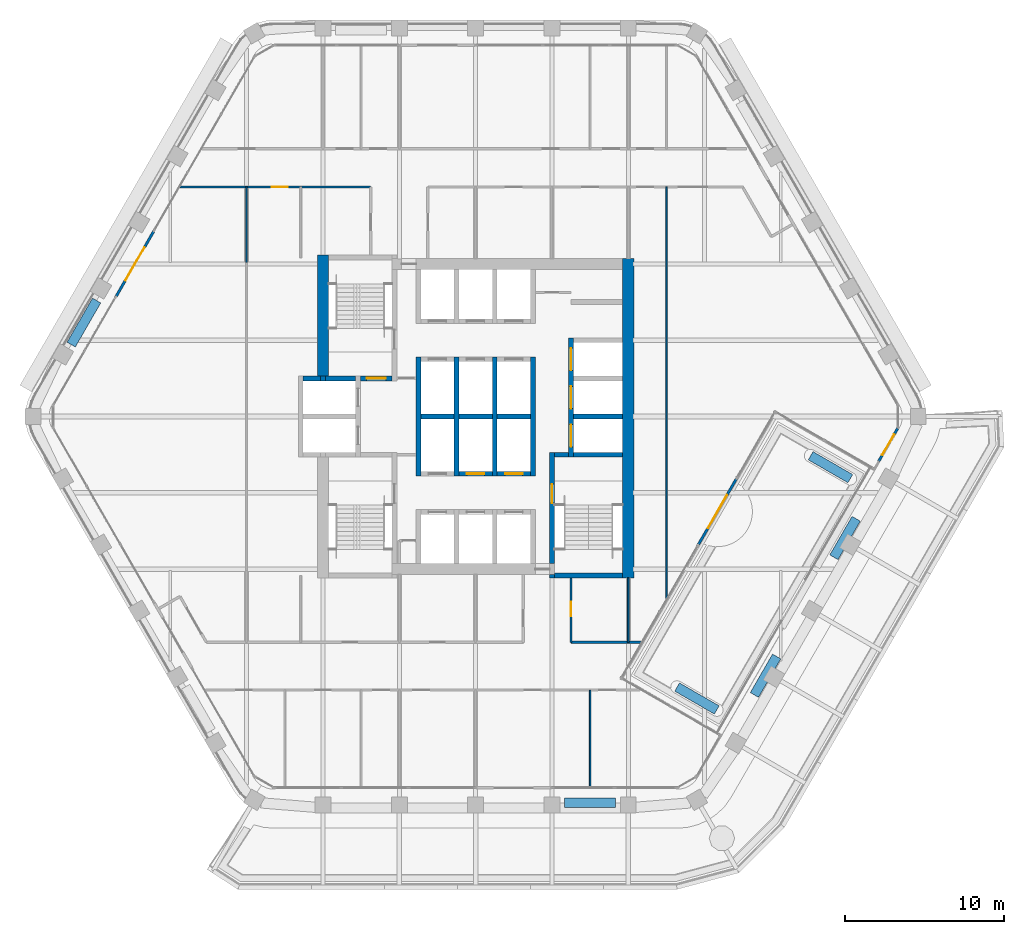
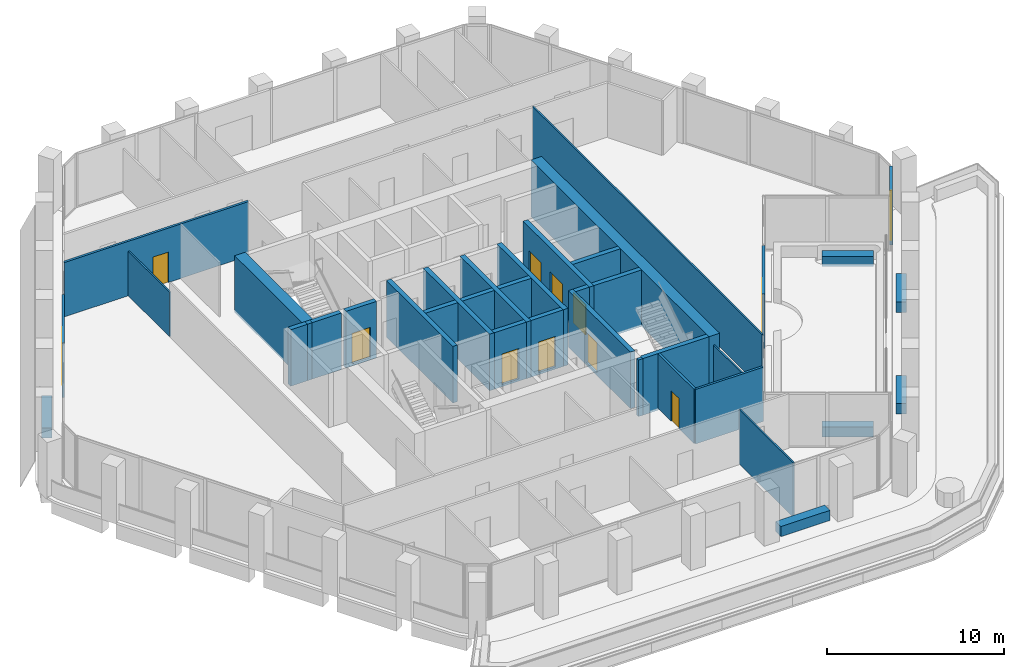
# One storey, part 12 of 17: 38 walls, 12 doors, 12 openings.
"""IFC4 building model written with IfcOpenShell, lengths in metres."""

from ifc_helpers import new_model, si_unit, direction, frame, frame_2d, origin, place, context, subcontext, project, spatial, rectangle, extrude, material, layer, layer_set, type_object, element, fill, save


model = new_model("IFC4")

# Units and contexts
model_context = context("Model", 3, precision=1e-05, world=origin(), true_north=direction((0.0, 1.0)))
body_context = subcontext(model_context, "Body", "Model", "MODEL_VIEW")
ifc_project = project(units=[si_unit("LENGTHUNIT", "METRE"), si_unit("AREAUNIT", "SQUARE_METRE"), si_unit("VOLUMEUNIT", "CUBIC_METRE"), si_unit("PLANEANGLEUNIT", "RADIAN"), si_unit("MASSUNIT", "GRAM", prefix="KILO")], contexts=[model_context])

# Site, building, storey
site_placement = place(None, origin())
site = spatial("IfcSite", under=ifc_project, at=site_placement, CompositionType="ELEMENT")
building_placement = place(site_placement, origin())
building = spatial("IfcBuilding", under=site, at=building_placement, Name="Kolab Exchange Tower", CompositionType="ELEMENT")
storey_placement = place(building_placement, frame((0.0, 0.0, 197.300048828125)))
storey = spatial("IfcBuildingStorey", under=building, at=storey_placement, Name="L42", CompositionType="ELEMENT", Elevation=197.300048828125)

# Walls
ifc_material_1 = material(Name="Concrete C60/75", Category="concrete")
ifc_layer_1 = layer(ifc_material_1, 0.699951171875)
ifc_layer_set_1 = layer_set([ifc_layer_1], Name="Concrete C60/75")
wall_type_1 = type_object("IfcWallType", Name="CORE WALL 700 C60/75", PredefinedType="SHEAR", material=ifc_layer_set_1)
wall_1_placement = place(storey_placement, frame((-9.60009765625, 2.550048828125, -0.150146484375), z_axis=(0.0, 0.0, 1.0), x_axis=(0.0, 1.0, 0.0)))
element("IfcWall", 1, at=wall_1_placement, inside=storey, type_object=wall_type_1, Name="wall/L42/core/037", PredefinedType="SHEAR", context=body_context, shape_type="SweptSolid", body=[
    extrude(rectangle(XDim=7.599853515625, YDim=0.699951171875, at=frame_2d((3.7998046875, 0.0))), origin(), (0.0, 0.0, 1.0), 3.900146484375),
])
wall_2_placement = place(storey_placement, frame((9.60009765625, -10.14990234375, -0.150146484375), z_axis=(0.0, 0.0, 1.0), x_axis=(0.0, 1.0, 0.0)))
element("IfcWall", 2, at=wall_2_placement, inside=storey, type_object=wall_type_1, Name="wall/L42/core/058", PredefinedType="SHEAR", context=body_context, shape_type="SweptSolid", body=[
    extrude(rectangle(XDim=20.099853515625, YDim=0.699951171875, at=frame_2d((10.0498046875, 0.0))), origin(), (0.0, 0.0, 1.0), 3.900146484375),
])

# Wall, opening, door
ifc_material_2 = material(Name="Aluminium EN AW-6063 T6", Category="aluminium")
ifc_layer_2 = layer(ifc_material_2, 0.159912109375)
ifc_layer_set_2 = layer_set([ifc_layer_2], Name="Aluminium EN AW-6063 T6")
wall_type_2 = type_object("IfcWallType", Name="DOOR SURROUND WALL 160 ALUMINIUM FRAMED", PredefinedType="PARTITIONING", material=ifc_layer_set_2)
wall_3_placement = place(storey_placement, frame((26.550537109375, -0.736083984375, 0.0), z_axis=(0.0, 0.0, 1.0), x_axis=(-0.500001309137, -0.866024647952, 0.0)))
wall_3 = element("IfcWall", 3, at=wall_3_placement, inside=storey, type_object=wall_type_2, Name="Door surround wall", PredefinedType="PARTITIONING", context=body_context, shape_type="SweptSolid", body=[
    extrude(rectangle(XDim=2.39990234375, YDim=0.159912109375, at=frame_2d((1.199951171875, 0.0))), origin(), (0.0, 0.0, 1.0), 3.75),
])
opening_1_placement = place(wall_3_placement, frame((0.449951171875, 0.0, 0.0)))
opening_1 = element("IfcOpeningElement", 4, at=opening_1_placement, cuts=wall_3, Name="Opening GD2-009", PredefinedType="OPENING", context=body_context, shape_type="SweptSolid", body=[
    extrude(rectangle(XDim=1.5, YDim=2.39990234375, at=frame_2d((0.75, 1.199951171875))), frame((0.0, 0.08984375, 0.0), z_axis=(0.0, -1.0, 0.0), x_axis=(1.0, 0.0, 0.0)), (0.0, 0.0, 1.0), 0.179931640625),
])
door_type_1 = type_object("IfcDoorType", Name="LOGGIA SLIDING GLASS DOOR 1500 X 2400", OperationType="SLIDING_TO_LEFT", PredefinedType="DOOR", material=ifc_material_2)
door_1_placement = place(opening_1_placement, origin())
door_1 = element("IfcDoor", 5, at=door_1_placement, inside=storey, type_object=door_type_1, Name="Loggia door", OperationType="DOUBLE_DOOR_SLIDING", OverallHeight=2.39990234375, OverallWidth=1.5, PredefinedType="DOOR", context=body_context, shape_type="SweptSolid", body=[
    extrude(rectangle(XDim=1.5, YDim=2.39990234375, at=frame_2d((0.75, 1.199951171875))), frame((0.0, 0.02490234375, 0.0), z_axis=(0.0, -1.0, 0.0), x_axis=(1.0, 0.0, 0.0)), (0.0, 0.0, 1.0), 0.050048828125),
])
fill(opening_1, door_1)

wall_4_placement = place(storey_placement, frame((16.4013671875, -3.915283203125, 0.0), z_axis=(0.0, 0.0, 1.0), x_axis=(-0.500039310002, -0.866002706955, 0.0)))
wall_4 = element("IfcWall", 6, at=wall_4_placement, inside=storey, type_object=wall_type_2, Name="Door surround wall", PredefinedType="PARTITIONING", context=body_context, shape_type="SweptSolid", body=[
    extrude(rectangle(XDim=4.77978515625, YDim=0.159912109375, at=frame_2d((2.389892578125, 0.0))), origin(), (0.0, 0.0, 1.0), 3.75),
])
opening_2_placement = place(wall_4_placement, frame((1.18994140625, 0.0, 0.0)))
opening_2 = element("IfcOpeningElement", 7, at=opening_2_placement, cuts=wall_4, Name="Opening GD1-083", PredefinedType="OPENING", context=body_context, shape_type="SweptSolid", body=[
    extrude(rectangle(XDim=2.39990234375, YDim=2.39990234375, at=frame_2d((1.199951171875, 1.199951171875))), frame((0.0, 0.08984375, 0.0), z_axis=(0.0, -1.0, 0.0), x_axis=(1.0, 0.0, 0.0)), (0.0, 0.0, 1.0), 0.179931640625),
])
door_type_2 = type_object("IfcDoorType", Name="LOGGIA SLIDING GLASS DOOR 2400 X 2400", OperationType="DOUBLE_DOOR_SINGLE_SWING", PredefinedType="DOOR", material=ifc_material_2)
door_2_placement = place(opening_2_placement, origin())
door_2 = element("IfcDoor", 8, at=door_2_placement, inside=storey, type_object=door_type_2, Name="Loggia door", OperationType="DOUBLE_DOOR_SLIDING", OverallHeight=2.39990234375, OverallWidth=2.39990234375, PredefinedType="DOOR", context=body_context, shape_type="SweptSolid", body=[
    extrude(rectangle(XDim=2.39990234375, YDim=2.39990234375, at=frame_2d((1.199951171875, 1.199951171875))), frame((0.0, 0.02490234375, 0.0), z_axis=(0.0, -1.0, 0.0), x_axis=(1.0, 0.0, 0.0)), (0.0, 0.0, 1.0), 0.050048828125),
])
fill(opening_2, door_2)

wall_5_placement = place(storey_placement, frame((-22.61669921875, 7.5498046875, 0.0), z_axis=(0.0, 0.0, 1.0), x_axis=(0.5000167099, 0.866015756104, 0.0)))
wall_5 = element("IfcWall", 9, at=wall_5_placement, inside=storey, type_object=wall_type_2, Name="Door surround wall", PredefinedType="PARTITIONING", context=body_context, shape_type="SweptSolid", body=[
    extrude(rectangle(XDim=4.739990234375, YDim=0.159912109375, at=frame_2d((2.3701171875, 0.0))), origin(), (0.0, 0.0, 1.0), 3.75),
])
opening_3_placement = place(wall_5_placement, frame((1.169921875, 0.0, 0.0)))
opening_3 = element("IfcOpeningElement", 10, at=opening_3_placement, cuts=wall_5, Name="Opening GD1-069", PredefinedType="OPENING", context=body_context, shape_type="SweptSolid", body=[
    extrude(rectangle(XDim=2.39990234375, YDim=2.39990234375, at=frame_2d((1.199951171875, 1.199951171875))), frame((0.0, 0.08984375, 0.0), z_axis=(0.0, -1.0, 0.0), x_axis=(1.0, 0.0, 0.0)), (0.0, 0.0, 1.0), 0.179931640625),
])
door_3_placement = place(opening_3_placement, origin())
door_3 = element("IfcDoor", 11, at=door_3_placement, inside=storey, type_object=door_type_2, Name="Loggia door", OperationType="DOUBLE_DOOR_SLIDING", OverallHeight=2.39990234375, OverallWidth=2.39990234375, PredefinedType="DOOR", context=body_context, shape_type="SweptSolid", body=[
    extrude(rectangle(XDim=2.39990234375, YDim=2.39990234375, at=frame_2d((1.199951171875, 1.199951171875))), frame((0.0, 0.02490234375, 0.0), z_axis=(0.0, -1.0, 0.0), x_axis=(1.0, 0.0, 0.0)), (0.0, 0.0, 1.0), 0.050048828125),
])
fill(opening_3, door_3)

ifc_material_3 = material(Name="Concrete C50/60", Category="concrete")
ifc_layer_3 = layer(ifc_material_3, 0.300048828125)
ifc_layer_set_3 = layer_set([ifc_layer_3], Name="Concrete C50/60")
wall_type_3 = type_object("IfcWallType", Name="LIFT SHAFT WALL 300 C50/60", PredefinedType="STANDARD", material=ifc_layer_set_3)
wall_6_placement = place(storey_placement, frame((-1.050048828125, -3.60009765625, -0.150146484375), z_axis=(0.0, 0.0, 1.0), x_axis=(1.0, 0.0, 0.0)))
wall_6 = element("IfcWall", 12, at=wall_6_placement, inside=storey, type_object=wall_type_3, Name="wall/L42/core/007", PredefinedType="STANDARD", context=body_context, shape_type="SweptSolid", body=[
    extrude(rectangle(XDim=2.10009765625, YDim=0.300048828125, at=frame_2d((1.050048828125, 0.0))), origin(), (0.0, 0.0, 1.0), 3.900146484375),
])
opening_4_placement = place(wall_6_placement, frame((0.5, 0.0, 0.14990234375)))
opening_4 = element("IfcOpeningElement", 13, at=opening_4_placement, cuts=wall_6, Name="Opening LD1-119", PredefinedType="OPENING", context=body_context, shape_type="SweptSolid", body=[
    extrude(rectangle(XDim=1.10009765625, YDim=2.10009765625, at=frame_2d((0.550048828125, 1.050048828125))), frame((0.0, 0.16015625, 0.0), z_axis=(0.0, -1.0, 0.0), x_axis=(1.0, 0.0, 0.0)), (0.0, 0.0, 1.0), 0.320068359375),
])
ifc_material_4 = material(Name="Stainless steel 316", Category="steel")
door_type_3 = type_object("IfcDoorType", Name="LANDING DOOR 1100 PASSENGER", OperationType="DOUBLE_DOOR_SLIDING", PredefinedType="DOOR", material=ifc_material_4)
door_4_placement = place(opening_4_placement, origin())
door_4 = element("IfcDoor", 14, at=door_4_placement, inside=storey, type_object=door_type_3, Name="Landing door HR8", OperationType="DOUBLE_DOOR_SLIDING", OverallHeight=2.10009765625, OverallWidth=1.10009765625, PredefinedType="DOOR", context=body_context, shape_type="SweptSolid", body=[
    extrude(rectangle(XDim=1.10009765625, YDim=2.10009765625, at=frame_2d((0.550048828125, 1.050048828125))), frame((0.0, 0.02490234375, 0.0), z_axis=(0.0, -1.0, 0.0), x_axis=(1.0, 0.0, 0.0)), (0.0, 0.0, 1.0), 0.050048828125),
])
fill(opening_4, door_4)

wall_7_placement = place(storey_placement, frame((1.35009765625, -3.60009765625, -0.150146484375), z_axis=(0.0, 0.0, 1.0), x_axis=(1.0, 0.0, 0.0)))
wall_7 = element("IfcWall", 15, at=wall_7_placement, inside=storey, type_object=wall_type_3, Name="wall/L42/core/008", PredefinedType="STANDARD", context=body_context, shape_type="SweptSolid", body=[
    extrude(rectangle(XDim=2.099853515625, YDim=0.300048828125, at=frame_2d((1.0498046875, 0.0))), origin(), (0.0, 0.0, 1.0), 3.900146484375),
])
opening_5_placement = place(wall_7_placement, frame((0.5, 0.0, 0.14990234375)))
opening_5 = element("IfcOpeningElement", 16, at=opening_5_placement, cuts=wall_7, Name="Opening LD1-120", PredefinedType="OPENING", context=body_context, shape_type="SweptSolid", body=[
    extrude(rectangle(XDim=1.10009765625, YDim=2.10009765625, at=frame_2d((0.550048828125, 1.050048828125))), frame((0.0, 0.16015625, 0.0), z_axis=(0.0, -1.0, 0.0), x_axis=(1.0, 0.0, 0.0)), (0.0, 0.0, 1.0), 0.320068359375),
])
door_5_placement = place(opening_5_placement, origin())
door_5 = element("IfcDoor", 17, at=door_5_placement, inside=storey, type_object=door_type_3, Name="Landing door HR9", OperationType="DOUBLE_DOOR_SLIDING", OverallHeight=2.10009765625, OverallWidth=1.10009765625, PredefinedType="DOOR", context=body_context, shape_type="SweptSolid", body=[
    extrude(rectangle(XDim=1.10009765625, YDim=2.10009765625, at=frame_2d((0.550048828125, 1.050048828125))), frame((0.0, 0.02490234375, 0.0), z_axis=(0.0, -1.0, 0.0), x_axis=(1.0, 0.0, 0.0)), (0.0, 0.0, 1.0), 0.050048828125),
])
fill(opening_5, door_5)

# Walls
wall_8_placement = place(storey_placement, frame((-3.449951171875, 0.0, -0.150146484375), z_axis=(0.0, 0.0, 1.0), x_axis=(1.0, 0.0, 0.0)))
element("IfcWall", 18, at=wall_8_placement, inside=storey, type_object=wall_type_3, Name="wall/L42/core/015", PredefinedType="STANDARD", context=body_context, shape_type="SweptSolid", body=[
    extrude(rectangle(XDim=2.099853515625, YDim=0.300048828125, at=frame_2d((1.0498046875, 0.0))), origin(), (0.0, 0.0, 1.0), 3.900146484375),
])
wall_9_placement = place(storey_placement, frame((-1.050048828125, 0.0, -0.150146484375), z_axis=(0.0, 0.0, 1.0), x_axis=(1.0, 0.0, 0.0)))
element("IfcWall", 19, at=wall_9_placement, inside=storey, type_object=wall_type_3, Name="wall/L42/core/016", PredefinedType="STANDARD", context=body_context, shape_type="SweptSolid", body=[
    extrude(rectangle(XDim=2.10009765625, YDim=0.300048828125, at=frame_2d((1.050048828125, 0.0))), origin(), (0.0, 0.0, 1.0), 3.900146484375),
])
wall_10_placement = place(storey_placement, frame((1.35009765625, 0.0, -0.150146484375), z_axis=(0.0, 0.0, 1.0), x_axis=(1.0, 0.0, 0.0)))
element("IfcWall", 20, at=wall_10_placement, inside=storey, type_object=wall_type_3, Name="wall/L42/core/017", PredefinedType="STANDARD", context=body_context, shape_type="SweptSolid", body=[
    extrude(rectangle(XDim=2.099853515625, YDim=0.300048828125, at=frame_2d((1.0498046875, 0.0))), origin(), (0.0, 0.0, 1.0), 3.900146484375),
])
wall_11_placement = place(storey_placement, frame((6.14990234375, 0.0, -0.150146484375), z_axis=(0.0, 0.0, 1.0), x_axis=(1.0, 0.0, 0.0)))
element("IfcWall", 21, at=wall_11_placement, inside=storey, type_object=wall_type_3, Name="wall/L42/core/018", PredefinedType="STANDARD", context=body_context, shape_type="SweptSolid", body=[
    extrude(rectangle(XDim=3.10009765625, YDim=0.300048828125, at=frame_2d((1.550048828125, 0.0))), origin(), (0.0, 0.0, 1.0), 3.900146484375),
])
wall_12_placement = place(storey_placement, frame((-10.85009765625, 2.39990234375, -0.150146484375), z_axis=(0.0, 0.0, 1.0), x_axis=(1.0, 0.0, 0.0)))
element("IfcWall", 22, at=wall_12_placement, inside=storey, type_object=wall_type_3, Name="wall/L42/core/019", PredefinedType="STANDARD", context=body_context, shape_type="SweptSolid", body=[
    extrude(rectangle(XDim=1.10009765625, YDim=0.300048828125, at=frame_2d((0.550048828125, 0.0))), origin(), (0.0, 0.0, 1.0), 3.900146484375),
])
for number, where, z_axis, x_axis, name in (
    (23, (-3.60009765625, -3.75, -0.150146484375), (0.0, 0.0, 1.0), (0.0, 1.0, 0.0), "wall/L42/core/044"),
    (24, (-1.199951171875, -3.75, -0.150146484375), (0.0, 0.0, 1.0), (0.0, 1.0, 0.0), "wall/L42/core/047"),
    (25, (1.199951171875, -3.75, -0.150146484375), (0.0, 0.0, 1.0), (0.0, 1.0, 0.0), "wall/L42/core/050"),
    (26, (3.60009765625, -3.75, -0.150146484375), (0.0, 0.0, 1.0), (0.0, 1.0, 0.0), "wall/L42/core/053"),
):
    element("IfcWall", number, at=place(storey_placement, frame(where, z_axis=z_axis, x_axis=x_axis)), inside=storey, type_object=wall_type_3, Name=name, PredefinedType="STANDARD", context=body_context, shape_type="SweptSolid", body=[
        extrude(rectangle(XDim=7.5, YDim=0.300048828125, at=frame_2d((3.75, 0.0))), origin(), (0.0, 0.0, 1.0), 3.900146484375),
    ])

# Wall, openings, doors
wall_13_placement = place(storey_placement, frame((6.0, -2.550048828125, -0.150146484375), z_axis=(0.0, 0.0, 1.0), x_axis=(0.0, 1.0, 0.0)))
wall_13 = element("IfcWall", 27, at=wall_13_placement, inside=storey, type_object=wall_type_3, Name="wall/L42/core/057", PredefinedType="STANDARD", context=body_context, shape_type="SweptSolid", body=[
    extrude(rectangle(XDim=7.5, YDim=0.300048828125, at=frame_2d((3.75, 0.0))), origin(), (0.0, 0.0, 1.0), 3.900146484375),
])
opening_6_placement = place(wall_13_placement, frame((0.64990234375, 0.0, 0.14990234375)))
opening_6 = element("IfcOpeningElement", 28, at=opening_6_placement, cuts=wall_13, Name="Opening LD3-037", PredefinedType="OPENING", context=body_context, shape_type="SweptSolid", body=[
    extrude(rectangle(XDim=1.39990234375, YDim=2.10009765625, at=frame_2d((0.699951171875, 1.050048828125))), frame((0.0, 0.16015625, 0.0), z_axis=(0.0, -1.0, 0.0), x_axis=(1.0, 0.0, 0.0)), (0.0, 0.0, 1.0), 0.320068359375),
])
opening_7_placement = place(wall_13_placement, frame((3.050048828125, 0.0, 0.14990234375)))
opening_7 = element("IfcOpeningElement", 29, at=opening_7_placement, cuts=wall_13, Name="Opening LD3-038", PredefinedType="OPENING", context=body_context, shape_type="SweptSolid", body=[
    extrude(rectangle(XDim=1.39990234375, YDim=2.10009765625, at=frame_2d((0.699951171875, 1.050048828125))), frame((0.0, 0.16015625, 0.0), z_axis=(0.0, -1.0, 0.0), x_axis=(1.0, 0.0, 0.0)), (0.0, 0.0, 1.0), 0.320068359375),
])
opening_8_placement = place(wall_13_placement, frame((5.449951171875, 0.0, 0.14990234375)))
opening_8 = element("IfcOpeningElement", 30, at=opening_8_placement, cuts=wall_13, Name="Opening LD3-039", PredefinedType="OPENING", context=body_context, shape_type="SweptSolid", body=[
    extrude(rectangle(XDim=1.39990234375, YDim=2.10009765625, at=frame_2d((0.699951171875, 1.050048828125))), frame((0.0, 0.16015625, 0.0), z_axis=(0.0, -1.0, 0.0), x_axis=(1.0, 0.0, 0.0)), (0.0, 0.0, 1.0), 0.320068359375),
])
door_type_4 = type_object("IfcDoorType", Name="LANDING DOOR 1400 SERVICE", OperationType="DOUBLE_DOOR_SLIDING", PredefinedType="DOOR", material=ifc_material_4)
door_6_placement = place(opening_6_placement, origin())
door_6 = element("IfcDoor", 31, at=door_6_placement, inside=storey, type_object=door_type_4, Name="Landing door SV1", OperationType="DOUBLE_DOOR_SLIDING", OverallHeight=2.10009765625, OverallWidth=1.39990234375, PredefinedType="DOOR", context=body_context, shape_type="SweptSolid", body=[
    extrude(rectangle(XDim=1.39990234375, YDim=2.10009765625, at=frame_2d((0.699951171875, 1.050048828125))), frame((0.0, 0.02490234375, 0.0), z_axis=(0.0, -1.0, 0.0), x_axis=(1.0, 0.0, 0.0)), (0.0, 0.0, 1.0), 0.050048828125),
])
fill(opening_6, door_6)
door_7_placement = place(opening_7_placement, origin())
door_7 = element("IfcDoor", 32, at=door_7_placement, inside=storey, type_object=door_type_4, Name="Landing door SV2", OperationType="DOUBLE_DOOR_SLIDING", OverallHeight=2.10009765625, OverallWidth=1.39990234375, PredefinedType="DOOR", context=body_context, shape_type="SweptSolid", body=[
    extrude(rectangle(XDim=1.39990234375, YDim=2.10009765625, at=frame_2d((0.699951171875, 1.050048828125))), frame((0.0, 0.02490234375, 0.0), z_axis=(0.0, -1.0, 0.0), x_axis=(1.0, 0.0, 0.0)), (0.0, 0.0, 1.0), 0.050048828125),
])
fill(opening_7, door_7)
door_8_placement = place(opening_8_placement, origin())
door_8 = element("IfcDoor", 33, at=door_8_placement, inside=storey, type_object=door_type_4, Name="Landing door SV3", OperationType="DOUBLE_DOOR_SLIDING", OverallHeight=2.10009765625, OverallWidth=1.39990234375, PredefinedType="DOOR", context=body_context, shape_type="SweptSolid", body=[
    extrude(rectangle(XDim=1.39990234375, YDim=2.10009765625, at=frame_2d((0.699951171875, 1.050048828125))), frame((0.0, 0.02490234375, 0.0), z_axis=(0.0, -1.0, 0.0), x_axis=(1.0, 0.0, 0.0)), (0.0, 0.0, 1.0), 0.050048828125),
])
fill(opening_8, door_8)

# Walls
ifc_material_5 = material(Name="Gypsum board", Category="gypsum")
ifc_layer_4 = layer(ifc_material_5, 0.10009765625)
ifc_layer_set_4 = layer_set([ifc_layer_4], Name="Gypsum board")
wall_type_4 = type_object("IfcWallType", Name="PARTITION 100", PredefinedType="PARTITIONING", material=ifc_layer_set_4)
wall_14_placement = place(storey_placement, frame((12.0, -11.45849609375, 0.0), z_axis=(0.0, 0.0, 1.0), x_axis=(0.0, 1.0, 0.0)))
element("IfcWall", 34, at=wall_14_placement, inside=storey, type_object=wall_type_4, Name="Partition 000", PredefinedType="PARTITIONING", context=body_context, shape_type="SweptSolid", body=[
    extrude(rectangle(XDim=25.89990234375, YDim=0.10009765625, at=frame_2d((12.949951171875, 0.0))), origin(), (0.0, 0.0, 1.0), 3.75),
])
wall_15_placement = place(storey_placement, frame((9.60009765625, -14.199951171875, 0.0), z_axis=(0.0, 0.0, 1.0), x_axis=(0.0, 1.0, 0.0)))
element("IfcWall", 35, at=wall_15_placement, inside=storey, type_object=wall_type_4, Name="Partition 002", PredefinedType="PARTITIONING", context=body_context, shape_type="SweptSolid", body=[
    extrude(rectangle(XDim=4.050048828125, YDim=0.10009765625, at=frame_2d((2.02490234375, 0.0))), origin(), (0.0, 0.0, 1.0), 3.06591796875),
])
wall_16_placement = place(storey_placement, frame((7.199951171875, -23.271484375, 0.0), z_axis=(0.0, 0.0, 1.0), x_axis=(0.0, 1.0, 0.0)))
element("IfcWall", 36, at=wall_16_placement, inside=storey, type_object=wall_type_4, Name="Partition 005", PredefinedType="PARTITIONING", context=body_context, shape_type="SweptSolid", body=[
    extrude(rectangle(XDim=6.071533203125, YDim=0.10009765625, at=frame_2d((3.03564453125, 0.0))), origin(), (0.0, 0.0, 1.0), 3.75),
])
wall_17_placement = place(storey_placement, frame((-14.39990234375, 9.693603515625, 0.0), z_axis=(0.0, 0.0, 1.0), x_axis=(0.0, 1.0, 0.0)))
element("IfcWall", 37, at=wall_17_placement, inside=storey, type_object=wall_type_4, Name="Partition 025", PredefinedType="PARTITIONING", context=body_context, shape_type="SweptSolid", body=[
    extrude(rectangle(XDim=4.747802734375, YDim=0.10009765625, at=frame_2d((2.3740234375, 0.0))), origin(), (0.0, 0.0, 1.0), 3.06591796875),
])

# Wall, opening, door
ifc_layer_5 = layer(ifc_material_5, 0.14990234375)
ifc_layer_set_5 = layer_set([ifc_layer_5], Name="Gypsum board")
wall_type_5 = type_object("IfcWallType", Name="PARTITION 150 FIRE-RATED", PredefinedType="PARTITIONING", material=ifc_layer_set_5)
wall_18_placement = place(storey_placement, frame((6.0, -14.199951171875, 0.0), z_axis=(0.0, 0.0, 1.0), x_axis=(0.0, 1.0, 0.0)))
wall_18 = element("IfcWall", 38, at=wall_18_placement, inside=storey, type_object=wall_type_5, Name="Partition 007", PredefinedType="PARTITIONING", context=body_context, shape_type="SweptSolid", body=[
    extrude(rectangle(XDim=4.050048828125, YDim=0.14990234375, at=frame_2d((2.02490234375, 0.0))), origin(), (0.0, 0.0, 1.0), 3.75),
])
opening_9_placement = place(wall_18_placement, frame((1.64990234375, 0.0, 0.0)))
opening_9 = element("IfcOpeningElement", 39, at=opening_9_placement, cuts=wall_18, Name="Opening D3-060", PredefinedType="OPENING", context=body_context, shape_type="SweptSolid", body=[
    extrude(rectangle(XDim=0.89990234375, YDim=2.10009765625, at=frame_2d((0.449951171875, 1.050048828125))), frame((0.0, 0.0849609375, 0.0), z_axis=(0.0, -1.0, 0.0), x_axis=(1.0, 0.0, 0.0)), (0.0, 0.0, 1.0), 0.169921875),
])
ifc_material_6 = material(Name="Steel S235", Category="steel")
door_type_5 = type_object("IfcDoorType", Name="FLUSH DOOR 900 FD60", OperationType="SINGLE_SWING_LEFT", PredefinedType="DOOR", material=ifc_material_6)
door_9_placement = place(opening_9_placement, frame((0.89990234375, 0.0, 0.0), z_axis=(0.0, 0.0, 1.0), x_axis=(-1.0, 0.0, 0.0)))
door_9 = element("IfcDoor", 40, at=door_9_placement, inside=storey, type_object=door_type_5, Name="Door L42-035", OperationType="SINGLE_SWING_LEFT", OverallHeight=2.10009765625, OverallWidth=0.89990234375, PredefinedType="DOOR", context=body_context, shape_type="SweptSolid", body=[
    extrude(rectangle(XDim=0.89990234375, YDim=2.10009765625, at=frame_2d((0.449951171875, 1.050048828125))), frame((0.0, 0.02490234375, 0.0), z_axis=(0.0, -1.0, 0.0), x_axis=(1.0, 0.0, 0.0)), (0.0, 0.0, 1.0), 0.050048828125),
])
fill(opening_9, door_9)

# Wall
wall_19_placement = place(storey_placement, frame((6.0, -14.199951171875, 0.0), z_axis=(0.0, 0.0, 1.0), x_axis=(1.0, 0.0, 0.0)))
element("IfcWall", 41, at=wall_19_placement, inside=storey, type_object=wall_type_5, Name="Partition 032", PredefinedType="PARTITIONING", context=body_context, shape_type="SweptSolid", body=[
    extrude(rectangle(XDim=4.417236328125, YDim=0.14990234375, at=frame_2d((2.20849609375, 0.0))), origin(), (0.0, 0.0, 1.0), 3.75),
])

# Wall, opening, door
wall_20_placement = place(storey_placement, frame((-18.591552734375, 14.44140625, 0.0), z_axis=(0.0, 0.0, 1.0), x_axis=(1.0, 0.0, 0.0)))
wall_20 = element("IfcWall", 42, at=wall_20_placement, inside=storey, type_object=wall_type_5, Name="Partition 035", PredefinedType="PARTITIONING", context=body_context, shape_type="SweptSolid", body=[
    extrude(rectangle(XDim=11.991455078125, YDim=0.14990234375, at=frame_2d((5.99560546875, 0.0))), origin(), (0.0, 0.0, 1.0), 3.75),
])
opening_10_placement = place(wall_20_placement, frame((5.7666015625, 0.0, 0.0)))
opening_10 = element("IfcOpeningElement", 43, at=opening_10_placement, cuts=wall_20, Name="Opening D1-568", PredefinedType="OPENING", context=body_context, shape_type="SweptSolid", body=[
    extrude(rectangle(XDim=1.0, YDim=2.10009765625, at=frame_2d((0.5, 1.050048828125))), frame((0.0, 0.0849609375, 0.0), z_axis=(0.0, -1.0, 0.0), x_axis=(1.0, 0.0, 0.0)), (0.0, 0.0, 1.0), 0.169921875),
])
door_type_6 = type_object("IfcDoorType", Name="FLUSH DOOR 1000 FD60", OperationType="SINGLE_SWING_LEFT", PredefinedType="DOOR", material=ifc_material_6)
door_10_placement = place(opening_10_placement, frame((1.0, 0.0, 0.0), z_axis=(0.0, 0.0, 1.0), x_axis=(-1.0, 0.0, 0.0)))
door_10 = element("IfcDoor", 44, at=door_10_placement, inside=storey, type_object=door_type_6, Name="Door L42-055", OperationType="SINGLE_SWING_RIGHT", OverallHeight=2.10009765625, OverallWidth=1.0, PredefinedType="DOOR", context=body_context, shape_type="SweptSolid", body=[
    extrude(rectangle(XDim=1.0, YDim=2.10009765625, at=frame_2d((0.5, 1.050048828125))), frame((0.0, 0.02490234375, 0.0), z_axis=(0.0, -1.0, 0.0), x_axis=(1.0, 0.0, 0.0)), (0.0, 0.0, 1.0), 0.050048828125),
])
fill(opening_10, door_10)

# Walls
ifc_material_7 = material(Name="Granite facing", Category="masonry")
ifc_layer_6 = layer(ifc_material_7, 0.0400390625)
ifc_material_8 = material(Name="Concrete C40/50 precast", Category="concrete")
ifc_layer_7 = layer(ifc_material_8, 0.56005859375)
ifc_layer_set_6 = layer_set([ifc_layer_6, ifc_layer_7], Name="Concrete C40/50 precast")
wall_type_6 = type_object("IfcWallType", Name="PLANTER BOX 600 X 700 SOIL DEPTH 550", PredefinedType="USERDEFINED", material=ifc_layer_set_6)
wall_21_placement = place(storey_placement, frame((8.800048828125, -24.29150390625, 0.0), z_axis=(0.0, 0.0, 1.0), x_axis=(-1.0, 0.0, 0.0)))
element("IfcWall", 45, at=wall_21_placement, inside=storey, type_object=wall_type_6, Name="Planter", ObjectType="PLANTER", PredefinedType="USERDEFINED", context=body_context, shape_type="SweptSolid", body=[
    extrude(rectangle(XDim=3.199951171875, YDim=0.60009765625, at=frame_2d((1.60009765625, 0.0))), origin(), (0.0, 0.0, 1.0), 0.699951171875),
])
wall_22_placement = place(storey_placement, frame((-25.43701171875, 4.524658203125, 0.0), z_axis=(0.0, 0.0, 1.0), x_axis=(0.499938187974, 0.866061088033, 0.0)))
element("IfcWall", 46, at=wall_22_placement, inside=storey, type_object=wall_type_6, Name="Planter", ObjectType="PLANTER", PredefinedType="USERDEFINED", context=body_context, shape_type="SweptSolid", body=[
    extrude(rectangle(XDim=3.2001953125, YDim=0.60009765625, at=frame_2d((1.60009765625, 0.0))), origin(), (0.0, 0.0, 1.0), 0.699951171875),
])
for number, where, z_axis, x_axis, name in (
    (47, (21.071533203125, -2.466064453125, 0.0), (0.0, 0.0, 1.0), (0.865996417519, -0.500050202324, 0.0), "Planter"),
    (48, (12.67138671875, -17.015380859375, 0.0), (0.0, 0.0, 1.0), (0.866054314686, -0.499949921505, 0.0), "Planter"),
):
    element("IfcWall", number, at=place(storey_placement, frame(where, z_axis=z_axis, x_axis=x_axis)), inside=storey, type_object=wall_type_6, Name=name, ObjectType="PLANTER", PredefinedType="USERDEFINED", context=body_context, shape_type="SweptSolid", body=[
        extrude(rectangle(XDim=2.880126953125, YDim=0.60009765625, at=frame_2d((1.43994140625, 0.0))), origin(), (0.0, 0.0, 1.0), 0.699951171875),
    ])
wall_23_placement = place(storey_placement, frame((22.533935546875, -8.85302734375, 0.0), z_axis=(0.0, 0.0, 1.0), x_axis=(0.500049511043, 0.865996816683, 0.0)))
element("IfcWall", 49, at=wall_23_placement, inside=storey, type_object=wall_type_6, Name="Planter", ObjectType="PLANTER", PredefinedType="USERDEFINED", context=body_context, shape_type="SweptSolid", body=[
    extrude(rectangle(XDim=2.800048828125, YDim=0.60009765625, at=frame_2d((1.39990234375, 0.0))), origin(), (0.0, 0.0, 1.0), 0.699951171875),
])
wall_24_placement = place(storey_placement, frame((18.93408203125, -15.08837890625, 0.0), z_axis=(0.0, 0.0, 1.0), x_axis=(-0.500011755427, -0.866018616679, 0.0)))
element("IfcWall", 50, at=wall_24_placement, inside=storey, type_object=wall_type_6, Name="Planter", ObjectType="PLANTER", PredefinedType="USERDEFINED", context=body_context, shape_type="SweptSolid", body=[
    extrude(rectangle(XDim=2.80029296875, YDim=0.60009765625, at=frame_2d((1.400146484375, 0.0))), origin(), (0.0, 0.0, 1.0), 0.699951171875),
])
ifc_layer_8 = layer(ifc_material_3, 0.300048828125)
ifc_layer_set_7 = layer_set([ifc_layer_8], Name="Concrete C50/60")
wall_type_7 = type_object("IfcWallType", Name="STAIR ENCLOSURE WALL 300 C50/60", PredefinedType="STANDARD", material=ifc_layer_set_7)
wall_25_placement = place(storey_placement, frame((4.949951171875, -10.0, -0.150146484375), z_axis=(0.0, 0.0, 1.0), x_axis=(1.0, 0.0, 0.0)))
element("IfcWall", 51, at=wall_25_placement, inside=storey, type_object=wall_type_7, Name="wall/L42/core/001", PredefinedType="STANDARD", context=body_context, shape_type="SweptSolid", body=[
    extrude(rectangle(XDim=4.300048828125, YDim=0.300048828125, at=frame_2d((2.14990234375, 0.0))), origin(), (0.0, 0.0, 1.0), 3.900146484375),
])
wall_26_placement = place(storey_placement, frame((4.949951171875, -2.39990234375, -0.150146484375), z_axis=(0.0, 0.0, 1.0), x_axis=(1.0, 0.0, 0.0)))
element("IfcWall", 52, at=wall_26_placement, inside=storey, type_object=wall_type_7, Name="wall/L42/core/012", PredefinedType="STANDARD", context=body_context, shape_type="SweptSolid", body=[
    extrude(rectangle(XDim=0.900146484375, YDim=0.300048828125, at=frame_2d((0.4501953125, 0.0))), origin(), (0.0, 0.0, 1.0), 3.900146484375),
])
wall_27_placement = place(storey_placement, frame((6.14990234375, -2.39990234375, -0.150146484375), z_axis=(0.0, 0.0, 1.0), x_axis=(1.0, 0.0, 0.0)))
element("IfcWall", 53, at=wall_27_placement, inside=storey, type_object=wall_type_7, Name="wall/L42/core/013", PredefinedType="STANDARD", context=body_context, shape_type="SweptSolid", body=[
    extrude(rectangle(XDim=3.10009765625, YDim=0.300048828125, at=frame_2d((1.550048828125, 0.0))), origin(), (0.0, 0.0, 1.0), 3.900146484375),
])
wall_28_placement = place(storey_placement, frame((-9.449951171875, 2.39990234375, -0.150146484375), z_axis=(0.0, 0.0, 1.0), x_axis=(1.0, 0.0, 0.0)))
element("IfcWall", 54, at=wall_28_placement, inside=storey, type_object=wall_type_7, Name="wall/L42/core/020", PredefinedType="STANDARD", context=body_context, shape_type="SweptSolid", body=[
    extrude(rectangle(XDim=1.89990234375, YDim=0.300048828125, at=frame_2d((0.949951171875, 0.0))), origin(), (0.0, 0.0, 1.0), 3.900146484375),
])

# Wall, opening, door
wall_29_placement = place(storey_placement, frame((-7.25, 2.39990234375, -0.150146484375), z_axis=(0.0, 0.0, 1.0), x_axis=(1.0, 0.0, 0.0)))
wall_29 = element("IfcWall", 55, at=wall_29_placement, inside=storey, type_object=wall_type_7, Name="wall/L42/core/021", PredefinedType="STANDARD", context=body_context, shape_type="SweptSolid", body=[
    extrude(rectangle(XDim=2.0, YDim=0.300048828125, at=frame_2d((1.0, 0.0))), origin(), (0.0, 0.0, 1.0), 3.900146484375),
])
opening_11_placement = place(wall_29_placement, frame((0.39990234375, 0.0, 0.14990234375)))
opening_11 = element("IfcOpeningElement", 56, at=opening_11_placement, cuts=wall_29, Name="Opening D4-065", PredefinedType="OPENING", context=body_context, shape_type="SweptSolid", body=[
    extrude(rectangle(XDim=1.199951171875, YDim=2.10009765625, at=frame_2d((0.60009765625, 1.050048828125))), frame((0.0, 0.16015625, 0.0), z_axis=(0.0, -1.0, 0.0), x_axis=(1.0, 0.0, 0.0)), (0.0, 0.0, 1.0), 0.320068359375),
])
door_type_7 = type_object("IfcDoorType", Name="STAIR DOOR 1200 EI 120", OperationType="SINGLE_SWING_LEFT", PredefinedType="DOOR", material=ifc_material_6)
door_11_placement = place(opening_11_placement, origin())
door_11 = element("IfcDoor", 57, at=door_11_placement, inside=storey, type_object=door_type_7, Name="Stair 1 door", OperationType="SINGLE_SWING_RIGHT", OverallHeight=2.10009765625, OverallWidth=1.199951171875, PredefinedType="DOOR", context=body_context, shape_type="SweptSolid", body=[
    extrude(rectangle(XDim=1.199951171875, YDim=2.10009765625, at=frame_2d((0.60009765625, 1.050048828125))), frame((0.0, 0.02490234375, 0.0), z_axis=(0.0, -1.0, 0.0), x_axis=(1.0, 0.0, 0.0)), (0.0, 0.0, 1.0), 0.050048828125),
])
fill(opening_11, door_11)

# Walls
wall_30_placement = place(storey_placement, frame((-9.60009765625, 2.25, -0.150146484375), z_axis=(0.0, 0.0, 1.0), x_axis=(0.0, 1.0, 0.0)))
element("IfcWall", 58, at=wall_30_placement, inside=storey, type_object=wall_type_7, Name="wall/L42/core/036", PredefinedType="STANDARD", context=body_context, shape_type="SweptSolid", body=[
    extrude(rectangle(XDim=0.300048828125, YDim=0.300048828125, at=frame_2d((0.14990234375, 0.0))), origin(), (0.0, 0.0, 1.0), 3.900146484375),
])
wall_31_placement = place(storey_placement, frame((4.800048828125, -10.14990234375, -0.150146484375), z_axis=(0.0, 0.0, 1.0), x_axis=(0.0, 1.0, 0.0)))
element("IfcWall", 59, at=wall_31_placement, inside=storey, type_object=wall_type_7, Name="wall/L42/core/055", PredefinedType="STANDARD", context=body_context, shape_type="SweptSolid", body=[
    extrude(rectangle(XDim=0.199951171875, YDim=0.300048828125, at=frame_2d((0.10009765625, 0.0))), origin(), (0.0, 0.0, 1.0), 3.900146484375),
])

# Wall, opening, door
wall_32_placement = place(storey_placement, frame((4.800048828125, -9.25, -0.150146484375), z_axis=(0.0, 0.0, 1.0), x_axis=(0.0, 1.0, 0.0)))
wall_32 = element("IfcWall", 60, at=wall_32_placement, inside=storey, type_object=wall_type_7, Name="wall/L42/core/056", PredefinedType="STANDARD", context=body_context, shape_type="SweptSolid", body=[
    extrude(rectangle(XDim=7.0, YDim=0.300048828125, at=frame_2d((3.5, 0.0))), origin(), (0.0, 0.0, 1.0), 3.900146484375),
])
opening_12_placement = place(wall_32_placement, frame((3.800048828125, 0.0, 0.14990234375)))
opening_12 = element("IfcOpeningElement", 61, at=opening_12_placement, cuts=wall_32, Name="Opening D4-067", PredefinedType="OPENING", context=body_context, shape_type="SweptSolid", body=[
    extrude(rectangle(XDim=1.199951171875, YDim=2.10009765625, at=frame_2d((0.60009765625, 1.050048828125))), frame((0.0, 0.16015625, 0.0), z_axis=(0.0, -1.0, 0.0), x_axis=(1.0, 0.0, 0.0)), (0.0, 0.0, 1.0), 0.320068359375),
])
door_12_placement = place(opening_12_placement, frame((1.199951171875, 0.0, 0.0), z_axis=(0.0, 0.0, 1.0), x_axis=(-1.0, 0.0, 0.0)))
door_12 = element("IfcDoor", 62, at=door_12_placement, inside=storey, type_object=door_type_7, Name="Stair 2 door", OperationType="SINGLE_SWING_RIGHT", OverallHeight=2.10009765625, OverallWidth=1.199951171875, PredefinedType="DOOR", context=body_context, shape_type="SweptSolid", body=[
    extrude(rectangle(XDim=1.199951171875, YDim=2.10009765625, at=frame_2d((0.60009765625, 1.050048828125))), frame((0.0, 0.02490234375, 0.0), z_axis=(0.0, -1.0, 0.0), x_axis=(1.0, 0.0, 0.0)), (0.0, 0.0, 1.0), 0.050048828125),
])
fill(opening_12, door_12)

save(model, "model.ifc")
